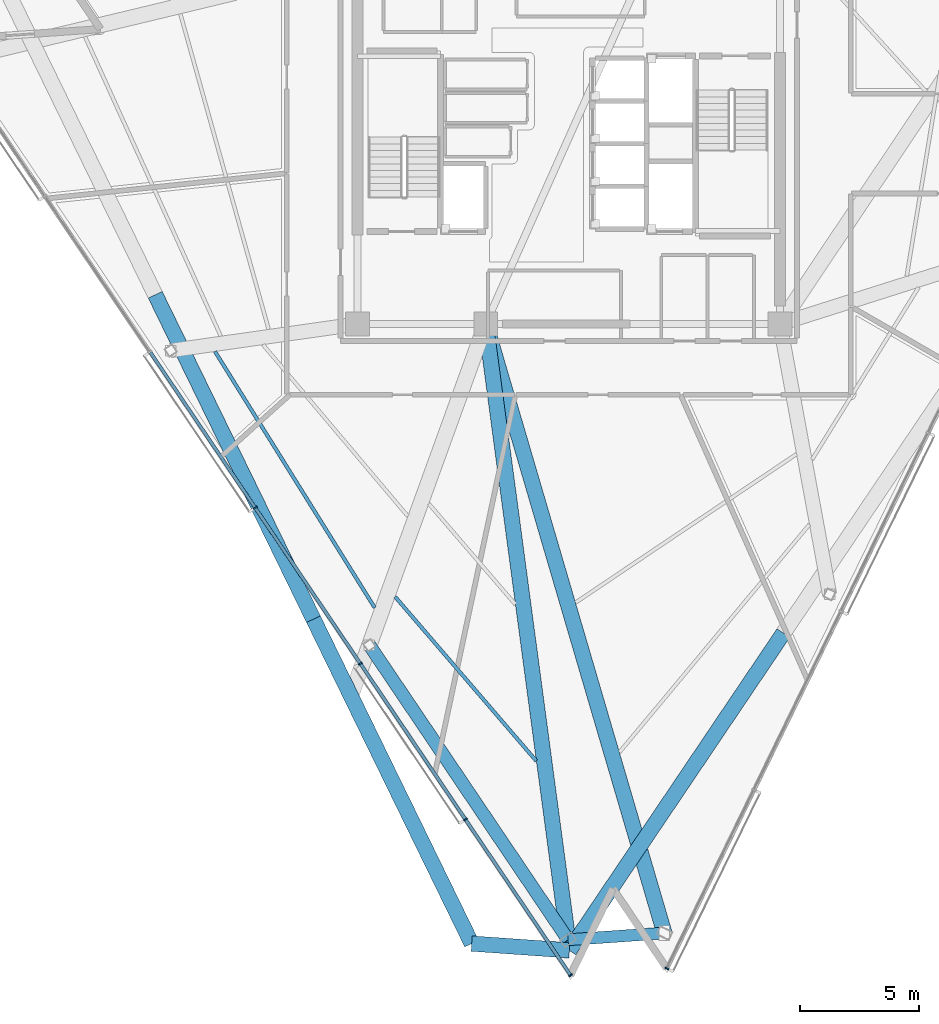
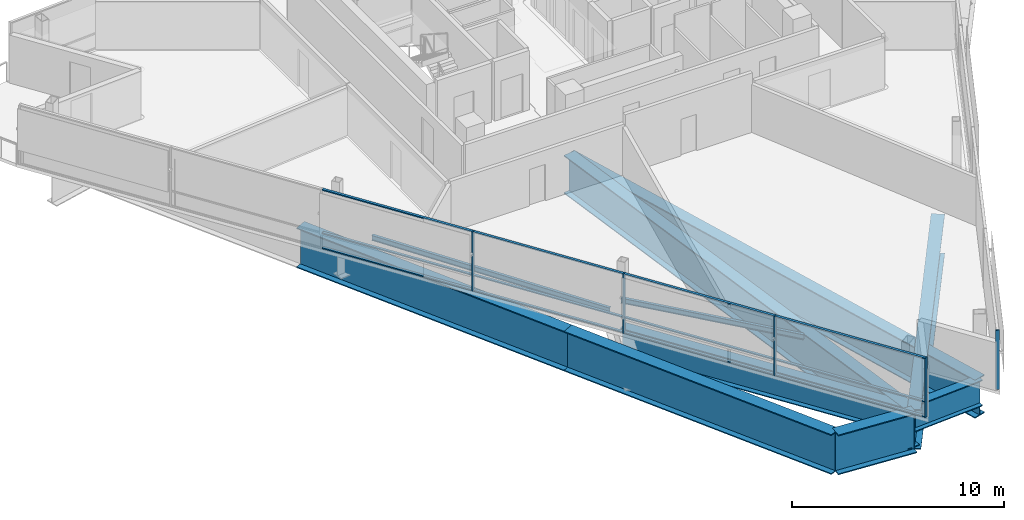
# One storey, part 2 of 17: 17 members, 10 beams, 2 elements without a shape of their own.
"""IFC4 building model written with IfcOpenShell, lengths in metres."""

from ifc_helpers import new_model, si_unit, direction, frame, origin, origin_2d, place, context, subcontext, project, spatial, rectangle, i_section, extrude, material, layer, layer_set, material_profile, profile_set, type_object, element, aggregate, save


model = new_model("IFC4")

# Units and contexts
model_context = context("Model", 3, precision=1e-05, world=origin(), true_north=direction((0.0, 1.0)))
body_context = subcontext(model_context, "Body", "Model", "MODEL_VIEW")
ifc_project = project(units=[si_unit("LENGTHUNIT", "METRE"), si_unit("AREAUNIT", "SQUARE_METRE"), si_unit("VOLUMEUNIT", "CUBIC_METRE"), si_unit("PLANEANGLEUNIT", "RADIAN"), si_unit("MASSUNIT", "GRAM", prefix="KILO")], contexts=[model_context])

# Site, building, storey
site_placement = place(None, origin())
site = spatial("IfcSite", under=ifc_project, at=site_placement, CompositionType="ELEMENT")
building_placement = place(site_placement, origin())
building = spatial("IfcBuilding", under=site, at=building_placement, Name="Tharavind Bronze Gate", CompositionType="ELEMENT")
storey_placement = place(building_placement, frame((0.0, 0.0, 253.39990234375)))
storey = spatial("IfcBuildingStorey", under=building, at=storey_placement, Name="L65", CompositionType="ELEMENT", Elevation=253.39990234375)

# Curtain wall, members
ifc_material_1 = material(Name="Anodised Bronze Aluminium", Category="aluminium")
ifc_layer = layer(ifc_material_1, 0.219970703125)
ifc_layer_set = layer_set([ifc_layer], Name="Anodised Bronze Aluminium")
curtain_wall_type = type_object("IfcCurtainWallType", Name="UNITISED CURTAIN WALL UPPER OFFICE", PredefinedType="USERDEFINED", material=ifc_layer_set)
curtain_wall_1_placement = place(storey_placement, origin())
curtain_wall_1 = element("IfcCurtainWall", 1, at=curtain_wall_1_placement, inside=storey, type_object=curtain_wall_type, Name="L65 unitised curtain wall upper office CW-L65-S1", ObjectType="UNITISED CURTAIN WALL", PredefinedType="USERDEFINED")
member_type_1 = type_object("IfcMemberType", Name="CURTAIN WALL BRONZE MULLION 65X180", PredefinedType="MULLION", material=ifc_material_1)
member_1_placement = place(storey_placement, frame((-13.211181640625, -15.3466796875, 0.000244140625), z_axis=(0.0, 0.0, 1.0), x_axis=(0.559191456526, -0.82903854853, 0.0)))
member_1 = element("IfcMember", 2, at=member_1_placement, type_object=member_type_1, Name="CW-L65-S1 mullion 4", PredefinedType="MULLION", context=body_context, shape_type="SweptSolid", body=[
    extrude(rectangle(XDim=0.06494140625, YDim=0.179931640625, at=origin_2d()), origin(), (0.0, 0.0, 1.0), 3.419921875),
])
member_2_placement = place(storey_placement, frame((-8.781982421875, -21.912841796875, 0.000244140625), z_axis=(0.0, 0.0, 1.0), x_axis=(0.559191456526, -0.82903854853, 0.0)))
member_2 = element("IfcMember", 3, at=member_2_placement, type_object=member_type_1, Name="CW-L65-S1 mullion 5", PredefinedType="MULLION", context=body_context, shape_type="SweptSolid", body=[
    extrude(rectangle(XDim=0.06494140625, YDim=0.179931640625, at=origin_2d()), origin(), (0.0, 0.0, 1.0), 3.419921875),
])
member_3_placement = place(storey_placement, frame((-4.35302734375, -28.47900390625, 0.000244140625), z_axis=(0.0, 0.0, 1.0), x_axis=(0.559191456526, -0.82903854853, 0.0)))
member_3 = element("IfcMember", 4, at=member_3_placement, type_object=member_type_1, Name="CW-L65-S1 mullion 6", PredefinedType="MULLION", context=body_context, shape_type="SweptSolid", body=[
    extrude(rectangle(XDim=0.06494140625, YDim=0.179931640625, at=origin_2d()), origin(), (0.0, 0.0, 1.0), 3.419921875),
])
member_4_placement = place(storey_placement, frame((0.075927734375, -35.04541015625, 0.000244140625), z_axis=(0.0, 0.0, 1.0), x_axis=(0.559191456526, -0.82903854853, 0.0)))
member_4 = element("IfcMember", 5, at=member_4_placement, type_object=member_type_1, Name="CW-L65-S1 mullion 7", PredefinedType="MULLION", context=body_context, shape_type="SweptSolid", body=[
    extrude(rectangle(XDim=0.06494140625, YDim=0.179931640625, at=origin_2d()), origin(), (0.0, 0.0, 1.0), 3.419921875),
])

# Curtain wall, member
curtain_wall_2_placement = place(storey_placement, origin())
curtain_wall_2 = element("IfcCurtainWall", 6, at=curtain_wall_2_placement, inside=storey, type_object=curtain_wall_type, Name="L65 unitised curtain wall upper office CW-L65-S2", ObjectType="UNITISED CURTAIN WALL", PredefinedType="USERDEFINED")
member_5_placement = place(storey_placement, frame((4.134033203125, -34.76171875, 0.000244140625), z_axis=(0.0, 0.0, 1.0), x_axis=(0.43837271548, 0.898793281196, 0.0)))
member_5 = element("IfcMember", 7, at=member_5_placement, type_object=member_type_1, Name="CW-L65-S2 mullion 1", PredefinedType="MULLION", context=body_context, shape_type="SweptSolid", body=[
    extrude(rectangle(XDim=0.06494140625, YDim=0.179931640625, at=origin_2d()), origin(), (0.0, 0.0, 1.0), 3.419921875),
])
aggregate(curtain_wall_2, [member_5])

# Member
member_type_2 = type_object("IfcMemberType", Name="CURTAIN WALL BRONZE TRANSOM 65X140", PredefinedType="USERDEFINED", material=ifc_material_1)
member_6_placement = place(storey_placement, frame((-15.425537109375, -12.0634765625, 0.000244140625), z_axis=(0.0, 0.0, 1.0), x_axis=(0.559191456526, -0.82903854853, 0.0)))
member_6 = element("IfcMember", 8, at=member_6_placement, type_object=member_type_2, Name="CW-L65-S1 transom TB3", ObjectType="TRANSOM", PredefinedType="USERDEFINED", context=body_context, shape_type="SweptSolid", body=[
    extrude(rectangle(XDim=7.8671875, YDim=0.139892578125, at=origin_2d()), origin(), (0.0, 0.0, 1.0), 0.06494140625),
])

member_7_placement = place(storey_placement, frame((-15.425537109375, -12.0634765625, 0.86767578125), z_axis=(0.0, 0.0, 1.0), x_axis=(0.559191456526, -0.82903854853, 0.0)))
member_7 = element("IfcMember", 9, at=member_7_placement, type_object=member_type_2, Name="CW-L65-S1 transom TS3", ObjectType="TRANSOM", PredefinedType="USERDEFINED", context=body_context, shape_type="SweptSolid", body=[
    extrude(rectangle(XDim=7.8671875, YDim=0.139892578125, at=origin_2d()), origin(), (0.0, 0.0, 1.0), 0.06494140625),
])

member_8_placement = place(storey_placement, frame((-15.425537109375, -12.0634765625, 3.355224609375), z_axis=(0.0, 0.0, 1.0), x_axis=(0.559191456526, -0.82903854853, 0.0)))
member_8 = element("IfcMember", 10, at=member_8_placement, type_object=member_type_2, Name="CW-L65-S1 transom TT3", ObjectType="TRANSOM", PredefinedType="USERDEFINED", context=body_context, shape_type="SweptSolid", body=[
    extrude(rectangle(XDim=7.8671875, YDim=0.139892578125, at=origin_2d()), origin(), (0.0, 0.0, 1.0), 0.06494140625),
])

member_9_placement = place(storey_placement, frame((-10.99658203125, -18.629638671875, 0.000244140625), z_axis=(0.0, 0.0, 1.0), x_axis=(0.559191456526, -0.82903854853, 0.0)))
member_9 = element("IfcMember", 11, at=member_9_placement, type_object=member_type_2, Name="CW-L65-S1 transom TB4", ObjectType="TRANSOM", PredefinedType="USERDEFINED", context=body_context, shape_type="SweptSolid", body=[
    extrude(rectangle(XDim=7.8671875, YDim=0.139892578125, at=origin_2d()), origin(), (0.0, 0.0, 1.0), 0.06494140625),
])

member_10_placement = place(storey_placement, frame((-10.99658203125, -18.629638671875, 0.86767578125), z_axis=(0.0, 0.0, 1.0), x_axis=(0.559191456526, -0.82903854853, 0.0)))
member_10 = element("IfcMember", 12, at=member_10_placement, type_object=member_type_2, Name="CW-L65-S1 transom TS4", ObjectType="TRANSOM", PredefinedType="USERDEFINED", context=body_context, shape_type="SweptSolid", body=[
    extrude(rectangle(XDim=7.8671875, YDim=0.139892578125, at=origin_2d()), origin(), (0.0, 0.0, 1.0), 0.06494140625),
])

member_11_placement = place(storey_placement, frame((-10.99658203125, -18.629638671875, 3.355224609375), z_axis=(0.0, 0.0, 1.0), x_axis=(0.559191456526, -0.82903854853, 0.0)))
member_11 = element("IfcMember", 13, at=member_11_placement, type_object=member_type_2, Name="CW-L65-S1 transom TT4", ObjectType="TRANSOM", PredefinedType="USERDEFINED", context=body_context, shape_type="SweptSolid", body=[
    extrude(rectangle(XDim=7.8671875, YDim=0.139892578125, at=origin_2d()), origin(), (0.0, 0.0, 1.0), 0.06494140625),
])

member_12_placement = place(storey_placement, frame((-6.567626953125, -25.196044921875, 0.000244140625), z_axis=(0.0, 0.0, 1.0), x_axis=(0.559191456526, -0.82903854853, 0.0)))
member_12 = element("IfcMember", 14, at=member_12_placement, type_object=member_type_2, Name="CW-L65-S1 transom TB5", ObjectType="TRANSOM", PredefinedType="USERDEFINED", context=body_context, shape_type="SweptSolid", body=[
    extrude(rectangle(XDim=7.8671875, YDim=0.139892578125, at=origin_2d()), origin(), (0.0, 0.0, 1.0), 0.06494140625),
])

member_13_placement = place(storey_placement, frame((-6.567626953125, -25.196044921875, 0.86767578125), z_axis=(0.0, 0.0, 1.0), x_axis=(0.559191456526, -0.82903854853, 0.0)))
member_13 = element("IfcMember", 15, at=member_13_placement, type_object=member_type_2, Name="CW-L65-S1 transom TS5", ObjectType="TRANSOM", PredefinedType="USERDEFINED", context=body_context, shape_type="SweptSolid", body=[
    extrude(rectangle(XDim=7.8671875, YDim=0.139892578125, at=origin_2d()), origin(), (0.0, 0.0, 1.0), 0.06494140625),
])

member_14_placement = place(storey_placement, frame((-6.567626953125, -25.196044921875, 3.355224609375), z_axis=(0.0, 0.0, 1.0), x_axis=(0.559191456526, -0.82903854853, 0.0)))
member_14 = element("IfcMember", 16, at=member_14_placement, type_object=member_type_2, Name="CW-L65-S1 transom TT5", ObjectType="TRANSOM", PredefinedType="USERDEFINED", context=body_context, shape_type="SweptSolid", body=[
    extrude(rectangle(XDim=7.8671875, YDim=0.139892578125, at=origin_2d()), origin(), (0.0, 0.0, 1.0), 0.06494140625),
])

member_15_placement = place(storey_placement, frame((-2.138671875, -31.76220703125, 0.000244140625), z_axis=(0.0, 0.0, 1.0), x_axis=(0.559191456526, -0.82903854853, 0.0)))
member_15 = element("IfcMember", 17, at=member_15_placement, type_object=member_type_2, Name="CW-L65-S1 transom TB6", ObjectType="TRANSOM", PredefinedType="USERDEFINED", context=body_context, shape_type="SweptSolid", body=[
    extrude(rectangle(XDim=7.8671875, YDim=0.139892578125, at=origin_2d()), origin(), (0.0, 0.0, 1.0), 0.06494140625),
])

member_16_placement = place(storey_placement, frame((-2.138671875, -31.76220703125, 0.86767578125), z_axis=(0.0, 0.0, 1.0), x_axis=(0.559191456526, -0.82903854853, 0.0)))
member_16 = element("IfcMember", 18, at=member_16_placement, type_object=member_type_2, Name="CW-L65-S1 transom TS6", ObjectType="TRANSOM", PredefinedType="USERDEFINED", context=body_context, shape_type="SweptSolid", body=[
    extrude(rectangle(XDim=7.8671875, YDim=0.139892578125, at=origin_2d()), origin(), (0.0, 0.0, 1.0), 0.06494140625),
])

member_17_placement = place(storey_placement, frame((-2.138671875, -31.76220703125, 3.355224609375), z_axis=(0.0, 0.0, 1.0), x_axis=(0.559191456526, -0.82903854853, 0.0)))
member_17 = element("IfcMember", 19, at=member_17_placement, type_object=member_type_2, Name="CW-L65-S1 transom TT6", ObjectType="TRANSOM", PredefinedType="USERDEFINED", context=body_context, shape_type="SweptSolid", body=[
    extrude(rectangle(XDim=7.8671875, YDim=0.139892578125, at=origin_2d()), origin(), (0.0, 0.0, 1.0), 0.06494140625),
])

aggregate(curtain_wall_1, [member_1, member_2, member_3, member_4, member_6, member_7, member_8, member_9, member_10, member_11, member_12, member_13, member_14, member_15, member_16, member_17])

# Beams
ifc_material_2 = material(Name="Steel S355", Category="steel")
ifc_material_profile_1 = material_profile(ifc_material_2, i_section(OverallWidth=0.14990234375, OverallDepth=0.300048828125, WebThickness=0.007080078125, FlangeThickness=0.0107421875, at=origin_2d()), Name="IPE300")
ifc_profile_set_1 = profile_set([ifc_material_profile_1], Name="Steel S355")
beam_type_1 = type_object("IfcBeamType", Name="SECONDARY FLOOR JOIST IPE300", PredefinedType="JOIST", material=ifc_profile_set_1)
beam_1_placement = place(storey_placement, frame((-14.9072265625, -8.760986328125, -0.33984375), z_axis=(0.52906681501, -0.848580170199, 0.0), x_axis=(0.848580170199, 0.52906681501, 0.0)))
element("IfcBeam", 20, at=beam_1_placement, inside=storey, type_object=beam_type_1, Name="L65 secondary floor joist ipe300 BM-L65-JSTB02", PredefinedType="JOIST", context=body_context, shape_type="SweptSolid", body=[
    extrude(i_section(OverallWidth=0.14990234375, OverallDepth=0.300048828125, WebThickness=0.007080078125, FlangeThickness=0.0107421875, at=origin_2d()), origin(), (0.0, 0.0, 1.0), 12.7177734375),
])
beam_2_placement = place(storey_placement, frame((-7.314697265625, -19.095703125, -0.33984375), z_axis=(0.651830700733, -0.75836451498, 0.0), x_axis=(0.75836451498, 0.651830700733, 0.0)))
element("IfcBeam", 21, at=beam_2_placement, inside=storey, type_object=beam_type_1, Name="L65 secondary floor joist ipe300 BM-L65-JSTB03", PredefinedType="JOIST", context=body_context, shape_type="SweptSolid", body=[
    extrude(i_section(OverallWidth=0.14990234375, OverallDepth=0.300048828125, WebThickness=0.007080078125, FlangeThickness=0.0107421875, at=origin_2d()), origin(), (0.0, 0.0, 1.0), 9.12548828125),
])
ifc_material_3 = material(Name="Steel S460", Category="steel")
ifc_material_profile_2 = material_profile(ifc_material_3, i_section(OverallWidth=0.5, OverallDepth=1.5, WebThickness=0.028076171875, FlangeThickness=0.050048828125, at=origin_2d()), Name="PG1500X500")
ifc_profile_set_2 = profile_set([ifc_material_profile_2], Name="Steel S460")
beam_type_2 = type_object("IfcBeamType", Name="TRANSFER GIRDER 1500X500", PredefinedType="USERDEFINED", material=ifc_profile_set_2)
beam_3_placement = place(storey_placement, frame((-0.02880859375, -33.549072265625, -0.93994140625), z_axis=(0.997561224107, 0.069796877851, 0.0), x_axis=(-0.069796877851, 0.997561224107, 0.0)))
element("IfcBeam", 22, at=beam_3_placement, inside=storey, type_object=beam_type_2, Name="L65 transfer girder 1500x500 BM-L65-URG04", ObjectType="TRANSFER GIRDER", PredefinedType="USERDEFINED", context=body_context, shape_type="SweptSolid", body=[
    extrude(i_section(OverallWidth=0.5, OverallDepth=1.5, WebThickness=0.028076171875, FlangeThickness=0.050048828125, at=origin_2d()), origin(), (0.0, 0.0, 1.0), 4.068115234375),
])
ifc_material_profile_3 = material_profile(ifc_material_3, i_section(OverallWidth=0.550048828125, OverallDepth=1.60009765625, WebThickness=0.030029296875, FlangeThickness=0.050048828125, at=origin_2d()), Name="PG1600X550")
ifc_profile_set_3 = profile_set([ifc_material_profile_3], Name="Steel S460")
beam_type_3 = type_object("IfcBeamType", Name="TRANSFER GIRDER 1600X550", PredefinedType="USERDEFINED", material=ifc_profile_set_3)
beam_4_placement = place(storey_placement, frame((-8.40234375, -21.134521484375, -0.989990234375), z_axis=(0.559184408692, -0.829043302292, 0.0), x_axis=(0.829043302292, 0.559184408692, 0.0)))
element("IfcBeam", 23, at=beam_4_placement, inside=storey, type_object=beam_type_3, Name="L65 transfer girder 1600x550 BM-L65-URG03", ObjectType="TRANSFER GIRDER", PredefinedType="USERDEFINED", context=body_context, shape_type="SweptSolid", body=[
    extrude(i_section(OverallWidth=0.550048828125, OverallDepth=1.60009765625, WebThickness=0.030029296875, FlangeThickness=0.050048828125, at=origin_2d()), origin(), (0.0, 0.0, 1.0), 14.974609375),
])
ifc_material_profile_4 = material_profile(ifc_material_3, i_section(OverallWidth=0.64990234375, OverallDepth=2.199951171875, WebThickness=0.035888671875, FlangeThickness=0.054931640625, at=origin_2d()), Name="PG2200X650")
ifc_profile_set_4 = profile_set([ifc_material_profile_4], Name="Steel S460")
beam_type_4 = type_object("IfcBeamType", Name="TRANSFER GIRDER 2200X650", PredefinedType="USERDEFINED", material=ifc_profile_set_4)
beam_5_placement = place(storey_placement, frame((-3.5, -7.60009765625, -1.289794921875), z_axis=(0.132596112516, -0.991170152368, 0.0), x_axis=(0.991170152368, 0.132596112516, 0.0)))
element("IfcBeam", 24, at=beam_5_placement, inside=storey, type_object=beam_type_4, Name="L65 transfer girder 2200x650 BM-L65-XFR04", ObjectType="TRANSFER GIRDER", PredefinedType="USERDEFINED", context=body_context, shape_type="SweptSolid", body=[
    extrude(i_section(OverallWidth=0.64990234375, OverallDepth=2.199951171875, WebThickness=0.035888671875, FlangeThickness=0.054931640625, at=origin_2d()), origin(), (0.0, 0.0, 1.0), 26.6279296875),
])
beam_6_placement = place(storey_placement, frame((-3.5, -7.60009765625, -1.289794921875), z_axis=(0.281504048886, -0.95956004005, 0.0), x_axis=(0.95956004005, 0.281504048886, 0.0)))
element("IfcBeam", 25, at=beam_6_placement, inside=storey, type_object=beam_type_4, Name="L65 transfer girder 2200x650 BM-L65-XFR05", ObjectType="TRANSFER GIRDER", PredefinedType="USERDEFINED", context=body_context, shape_type="SweptSolid", body=[
    extrude(i_section(OverallWidth=0.64990234375, OverallDepth=2.199951171875, WebThickness=0.035888671875, FlangeThickness=0.054931640625, at=origin_2d()), origin(), (0.0, 0.0, 1.0), 26.74658203125),
])
ifc_material_profile_5 = material_profile(ifc_material_3, i_section(OverallWidth=0.64990234375, OverallDepth=2.300048828125, WebThickness=0.035888671875, FlangeThickness=0.05810546875, at=origin_2d()), Name="PG2300X650")
ifc_profile_set_5 = profile_set([ifc_material_profile_5], Name="Steel S460")
beam_type_5 = type_object("IfcBeamType", Name="TRANSFER GIRDER 2300X650", PredefinedType="USERDEFINED", material=ifc_profile_set_5)
beam_7_placement = place(storey_placement, frame((-17.42578125, -6.368896484375, -1.33984375), z_axis=(0.438369868708, -0.89879466966, 0.0), x_axis=(0.89879466966, 0.438369868708, 0.0)))
element("IfcBeam", 26, at=beam_7_placement, inside=storey, type_object=beam_type_5, Name="L65 transfer girder 2300x650 BM-L65-LRG02", ObjectType="TRANSFER GIRDER", PredefinedType="USERDEFINED", context=body_context, shape_type="SweptSolid", body=[
    extrude(i_section(OverallWidth=0.64990234375, OverallDepth=2.300048828125, WebThickness=0.035888671875, FlangeThickness=0.05810546875, at=origin_2d()), origin(), (0.0, 0.0, 1.0), 15.209716796875),
])
beam_8_placement = place(storey_placement, frame((-10.75830078125, -20.039306640625, -1.33984375), z_axis=(0.438370186885, -0.898794514475, 0.0), x_axis=(0.898794514475, 0.438370186885, 0.0)))
element("IfcBeam", 27, at=beam_8_placement, inside=storey, type_object=beam_type_5, Name="L65 transfer girder 2300x650 BM-L65-LRG03", ObjectType="TRANSFER GIRDER", PredefinedType="USERDEFINED", context=body_context, shape_type="SweptSolid", body=[
    extrude(i_section(OverallWidth=0.64990234375, OverallDepth=2.300048828125, WebThickness=0.035888671875, FlangeThickness=0.05810546875, at=origin_2d()), origin(), (0.0, 0.0, 1.0), 15.210205078125),
])
beam_9_placement = place(storey_placement, frame((-4.090576171875, -33.710205078125, -1.33984375), z_axis=(0.99756592469, -0.069729662964, 0.0), x_axis=(0.069729662964, 0.99756592469, 0.0)))
element("IfcBeam", 28, at=beam_9_placement, inside=storey, type_object=beam_type_5, Name="L65 transfer girder 2300x650 BM-L65-LRG04", ObjectType="TRANSFER GIRDER", PredefinedType="USERDEFINED", context=body_context, shape_type="SweptSolid", body=[
    extrude(i_section(OverallWidth=0.64990234375, OverallDepth=2.300048828125, WebThickness=0.035888671875, FlangeThickness=0.05810546875, at=origin_2d()), origin(), (0.0, 0.0, 1.0), 4.1279296875),
])
beam_10_placement = place(storey_placement, frame((0.02734375, -33.998046875, -1.33984375), z_axis=(0.559188128577, 0.829040793241, 0.0), x_axis=(-0.829040793241, 0.559188128577, 0.0)))
element("IfcBeam", 29, at=beam_10_placement, inside=storey, type_object=beam_type_5, Name="L65 transfer girder 2300x650 BM-L65-LRG05", ObjectType="TRANSFER GIRDER", PredefinedType="USERDEFINED", context=body_context, shape_type="SweptSolid", body=[
    extrude(i_section(OverallWidth=0.64990234375, OverallDepth=2.300048828125, WebThickness=0.035888671875, FlangeThickness=0.05810546875, at=origin_2d()), origin(), (0.0, 0.0, 1.0), 16.12744140625),
])

save(model, "model.ifc")
